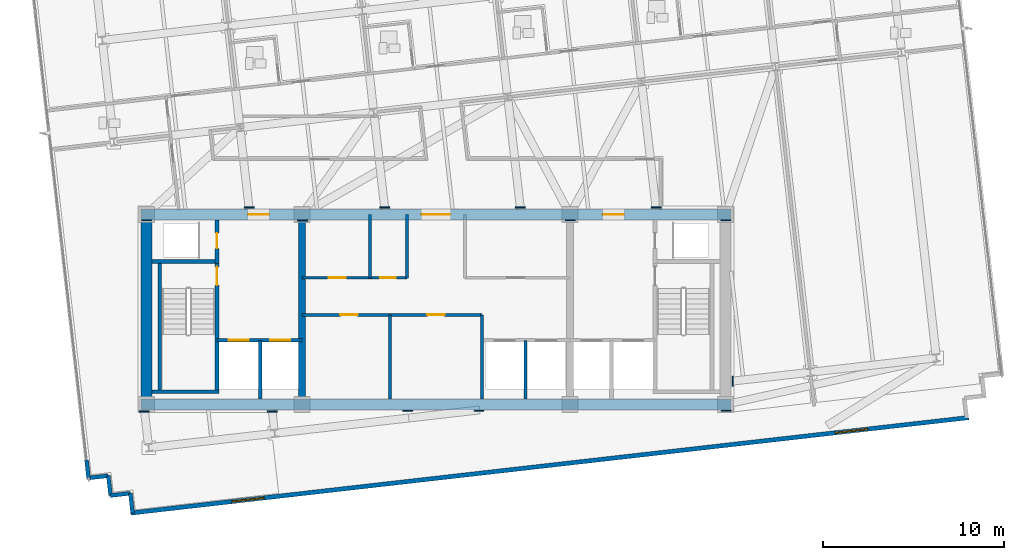
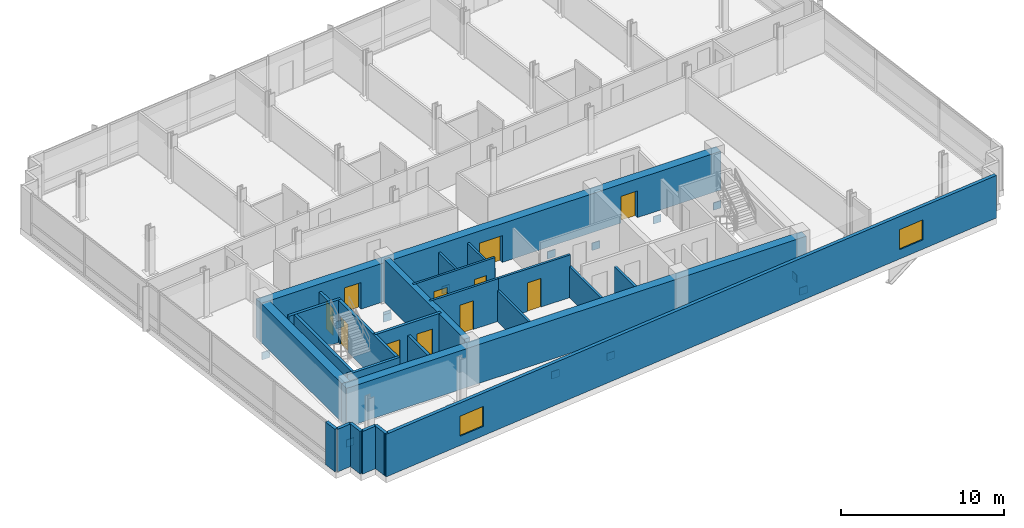
# One storey, part 8 of 15: 25 walls, 15 plates, 11 doors, 2 windows, 13 openings.
"""IFC4 building model written with IfcOpenShell, lengths in metres."""

from ifc_helpers import new_model, si_unit, direction, frame, frame_2d, origin, origin_2d, place, context, subcontext, project, spatial, rectangle, extrude, material, layer, layer_set, type_object, element, fill, save


model = new_model("IFC4")

# Units and contexts
model_context = context("Model", 3, precision=1e-05, world=origin(), true_north=direction((0.0, 1.0)))
body_context = subcontext(model_context, "Body", "Model", "MODEL_VIEW")
ifc_project = project(units=[si_unit("LENGTHUNIT", "METRE"), si_unit("AREAUNIT", "SQUARE_METRE"), si_unit("VOLUMEUNIT", "CUBIC_METRE"), si_unit("PLANEANGLEUNIT", "RADIAN"), si_unit("MASSUNIT", "GRAM", prefix="KILO")], contexts=[model_context])

# Site, building, storey
site_placement = place(None, origin())
site = spatial("IfcSite", under=ifc_project, at=site_placement, CompositionType="ELEMENT")
building_placement = place(site_placement, origin())
building = spatial("IfcBuilding", under=site, at=building_placement, Name="Solmavex Isthmus Hotel", CompositionType="ELEMENT")
storey_placement = place(building_placement, frame((0.0, 0.0, 191.699951171875)))
storey = spatial("IfcBuildingStorey", under=building, at=storey_placement, Name="L51", CompositionType="ELEMENT", Elevation=191.699951171875)

# Plates
ifc_material_1 = material(Name="Steel ASTM A572 Grade 50", Category="steel")
ifc_layer_1 = layer(ifc_material_1, 0.06005859375)
ifc_layer_set_1 = layer_set([ifc_layer_1], Name="Steel ASTM A572 Grade 50")
plate_type = type_object("IfcPlateType", Name="PLT-EMBED-60", PredefinedType="USERDEFINED", material=ifc_layer_set_1)
for number, where, z_axis, x_axis, name in (
    (1, (-7.37939453125, -2.820556640625, -1.30517578125), (0.0, 0.0, 1.0), (1.0, 0.0, 0.0), "Outrigger Strut Core Cast-In Embedment Stiffener Plate 075"),
    (2, (7.4169921875, -2.818359375, -1.30517578125), (0.0, 0.0, 1.0), (1.0, 0.0, 0.0), "Outrigger Strut Core Cast-In Embedment Stiffener Plate 076"),
    (3, (-7.36865234375, -2.83203125, -1.5), (0.0, 0.0, 1.0), (1.0, 0.0, 0.0), "Outrigger Strut Core Cast-In Embedment Stiffener Plate 077"),
    (4, (-15.9736328125, -2.825439453125, -1.30517578125), (0.0, 0.0, 1.0), (1.0, 0.0, 0.0), "Outrigger Strut Core Cast-In Embedment Stiffener Plate 078"),
    (5, (16.011474609375, -2.81591796875, -1.30517578125), (0.0, 0.0, 1.0), (1.0, 0.0, 0.0), "Outrigger Strut Core Cast-In Embedment Stiffener Plate 079"),
    (6, (16.03515625, -13.34228515625, -1.30517578125), (0.0, 0.0, 1.0), (1.0, 0.0, 0.0), "Outrigger Strut Core Cast-In Embedment Stiffener Plate 080"),
    (7, (-1.547119140625, -13.35400390625, -1.4150390625), (0.0, 0.0, 1.0), (1.0, 0.0, 0.0), "Outrigger Strut Core Cast-In Embedment Stiffener Plate 081"),
    (8, (2.377197265625, -13.35400390625, -1.4150390625), (0.0, 0.0, 1.0), (1.0, 0.0, 0.0), "Outrigger Strut Core Cast-In Embedment Stiffener Plate 082"),
    (9, (16.3857421875, -11.713623046875, -1.4150390625), (0.0, 0.0, 1.0), (0.0, 1.0, 0.0), "Outrigger Strut Core Cast-In Embedment Stiffener Plate 083"),
    (10, (-16.105712890625, -13.3857421875, -1.4150390625), (0.0, 0.0, 1.0), (1.0, 0.0, 0.0), "Outrigger Strut Core Cast-In Embedment Stiffener Plate 084"),
    (11, (-9.052490234375, -13.3857421875, -1.30517578125), (0.0, 0.0, 1.0), (1.0, 0.0, 0.0), "Outrigger Strut Core Cast-In Embedment Stiffener Plate 085"),
    (12, (-10.3251953125, -2.1142578125, -1.4150390625), (0.0, 0.0, 1.0), (1.0, 0.0, 0.0), "Outrigger Strut Core Cast-In Embedment Stiffener Plate 086"),
    (13, (-2.8310546875, -2.1142578125, -1.4150390625), (0.0, 0.0, 1.0), (1.0, 0.0, 0.0), "Outrigger Strut Core Cast-In Embedment Stiffener Plate 087"),
    (14, (4.6630859375, -2.1142578125, -1.4150390625), (0.0, 0.0, 1.0), (1.0, 0.0, 0.0), "Outrigger Strut Core Cast-In Embedment Stiffener Plate 088"),
    (15, (12.1572265625, -2.1142578125, -1.4150390625), (0.0, 0.0, 1.0), (1.0, 0.0, 0.0), "Outrigger Strut Core Cast-In Embedment Stiffener Plate 089"),
):
    element("IfcPlate", number, at=place(storey_placement, frame(where, z_axis=z_axis, x_axis=x_axis)), inside=storey, type_object=plate_type, Name=name, ObjectType="STIFFENER_PLATE", PredefinedType="USERDEFINED", context=body_context, shape_type="SweptSolid", body=[
        extrude(rectangle(XDim=0.550048828125, YDim=0.06005859375, at=origin_2d()), origin(), (0.0, 0.0, 1.0), 0.550048828125),
    ])

# Wall, openings, windows
ifc_material_2 = material(Name="Precast Concrete C40/50", Category="concrete")
ifc_layer_2 = layer(ifc_material_2, 0.25)
ifc_layer_set_2 = layer_set([ifc_layer_2], Name="Precast Concrete C40/50")
wall_type_1 = type_object("IfcWallType", Name="EW-TWR-250", PredefinedType="STANDARD", material=ifc_layer_set_2)
wall_1_placement = place(storey_placement, frame((-16.86962890625, -18.99951171875, 0.0), z_axis=(0.0, 0.0, 1.0), x_axis=(0.993571588328, 0.113205560228, 0.0)))
wall_1 = element("IfcWall", 16, at=wall_1_placement, inside=storey, type_object=wall_type_1, Name="Tower Rear South Facade Wall L51", PredefinedType="STANDARD", context=body_context, shape_type="SweptSolid", body=[
    extrude(rectangle(XDim=46.60009765625, YDim=0.239990234375, at=frame_2d((23.300048828125, 0.0))), origin(), (0.0, 0.0, 1.0), 3.18994140625),
])
opening_1_placement = place(wall_1_placement, frame((5.6240234375, 0.0, 0.699951171875)))
opening_1 = element("IfcOpeningElement", 17, at=opening_1_placement, cuts=wall_1, Name="Opening WN-02", PredefinedType="OPENING", context=body_context, shape_type="SweptSolid", body=[
    extrude(rectangle(XDim=1.800048828125, YDim=1.5, at=frame_2d((0.89990234375, 0.75))), frame((0.0, 0.1298828125, 0.0), z_axis=(0.0, -1.0, 0.0), x_axis=(1.0, 0.0, 0.0)), (0.0, 0.0, 1.0), 0.260009765625),
])
opening_2_placement = place(wall_1_placement, frame((39.176025390625, 0.0, 0.699951171875)))
opening_2 = element("IfcOpeningElement", 18, at=opening_2_placement, cuts=wall_1, Name="Opening WN-02", PredefinedType="OPENING", context=body_context, shape_type="SweptSolid", body=[
    extrude(rectangle(XDim=1.800048828125, YDim=1.5, at=frame_2d((0.89990234375, 0.75))), frame((0.0, 0.1298828125, 0.0), z_axis=(0.0, -1.0, 0.0), x_axis=(1.0, 0.0, 0.0)), (0.0, 0.0, 1.0), 0.260009765625),
])
ifc_material_3 = material(Name="Clear low-E laminated glass", Category="glass")
window_type = type_object("IfcWindowType", Name="WIN-TWR-1800", PartitioningType="SINGLE_PANEL", PredefinedType="WINDOW", material=ifc_material_3)
window_1_placement = place(opening_1_placement, origin())
window_1 = element("IfcWindow", 19, at=window_1_placement, inside=storey, type_object=window_type, Name="South Facade Vision Window L51-S1", OverallHeight=1.5, OverallWidth=1.800048828125, PartitioningType="SINGLE_PANEL", PredefinedType="WINDOW", context=body_context, shape_type="SweptSolid", body=[
    extrude(rectangle(XDim=1.800048828125, YDim=1.5, at=frame_2d((0.89990234375, 0.75))), frame((0.0, 0.030029296875, 0.0), z_axis=(0.0, -1.0, 0.0), x_axis=(1.0, 0.0, 0.0)), (0.0, 0.0, 1.0), 0.06005859375),
])
fill(opening_1, window_1)
window_2_placement = place(opening_2_placement, origin())
window_2 = element("IfcWindow", 20, at=window_2_placement, inside=storey, type_object=window_type, Name="South Facade Vision Window L51-S2", OverallHeight=1.5, OverallWidth=1.800048828125, PartitioningType="SINGLE_PANEL", PredefinedType="WINDOW", context=body_context, shape_type="SweptSolid", body=[
    extrude(rectangle(XDim=1.800048828125, YDim=1.5, at=frame_2d((0.89990234375, 0.75))), frame((0.0, 0.030029296875, 0.0), z_axis=(0.0, -1.0, 0.0), x_axis=(1.0, 0.0, 0.0)), (0.0, 0.0, 1.0), 0.06005859375),
])
fill(opening_2, window_2)

# Walls
for number, where, z_axis, x_axis, name in (
    (21, (-16.759033203125, -18.9970703125, 0.0), (0.0, 0.0, 1.0), (-0.113183557839, 0.99357409499, 0.0), "Serrated Corner Facade Panel L51-01"),
    (22, (-16.883544921875, -17.904052734375, 0.0), (0.0, 0.0, 1.0), (-0.99357409499, -0.113183557839, 0.0), "Serrated Corner Facade Panel L51-02"),
    (23, (-17.9765625, -18.028564453125, 0.0), (0.0, 0.0, 1.0), (-0.113183557839, 0.99357409499, 0.0), "Serrated Corner Facade Panel L51-03"),
    (24, (-18.10107421875, -16.935546875, 0.0), (0.0, 0.0, 1.0), (-0.99357409499, -0.113183557839, 0.0), "Serrated Corner Facade Panel L51-04"),
):
    element("IfcWall", number, at=place(storey_placement, frame(where, z_axis=z_axis, x_axis=x_axis)), inside=storey, type_object=wall_type_1, Name=name, PredefinedType="STANDARD", context=body_context, shape_type="SweptSolid", body=[
        extrude(rectangle(XDim=1.10009765625, YDim=0.219970703125, at=frame_2d((0.550048828125, 0.0))), origin(), (0.0, 0.0, 1.0), 3.18994140625),
    ])
wall_2_placement = place(storey_placement, frame((-19.194091796875, -17.06005859375, 0.0), z_axis=(0.0, 0.0, 1.0), x_axis=(-0.113191877531, 0.993573147212, 0.0)))
element("IfcWall", 25, at=wall_2_placement, inside=storey, type_object=wall_type_1, Name="Serrated Corner Facade Panel L51-05", PredefinedType="STANDARD", context=body_context, shape_type="SweptSolid", body=[
    extrude(rectangle(XDim=0.989990234375, YDim=0.219970703125, at=frame_2d((0.4951171875, 0.0))), origin(), (0.0, 0.0, 1.0), 3.18994140625),
])

# Wall, opening, door
ifc_material_4 = material(Name="Gypsum plasterboard lining", Category="gypsum")
ifc_layer_3 = layer(ifc_material_4, 0.159912109375)
ifc_layer_set_3 = layer_set([ifc_layer_3], Name="Gypsum plasterboard lining")
wall_type_2 = type_object("IfcWallType", Name="IW-COMP-160", PredefinedType="PARTITIONING", material=ifc_layer_set_3)
wall_3_placement = place(storey_placement, frame((-7.39990234375, -8.050048828125, 0.0), z_axis=(0.0, 0.0, 1.0), x_axis=(1.0, 0.0, 0.0)))
wall_3 = element("IfcWall", 26, at=wall_3_placement, inside=storey, type_object=wall_type_2, Name="Interior Partition Wall W-L51-REC-PLL-N", PredefinedType="PARTITIONING", context=body_context, shape_type="SweptSolid", body=[
    extrude(rectangle(XDim=4.849853515625, YDim=0.159912109375, at=frame_2d((2.4248046875, 0.0))), origin(), (0.0, 0.0, 1.0), 3.18994140625),
])
opening_3_placement = place(wall_3_placement, frame((2.125, 0.0, 0.0)))
opening_3 = element("IfcOpeningElement", 27, at=opening_3_placement, cuts=wall_3, Name="Opening ID-C095", PredefinedType="OPENING", context=body_context, shape_type="SweptSolid", body=[
    extrude(rectangle(XDim=0.949951171875, YDim=2.14990234375, at=frame_2d((0.47509765625, 1.074951171875))), frame((0.0, 0.08984375, 0.0), z_axis=(0.0, -1.0, 0.0), x_axis=(1.0, 0.0, 0.0)), (0.0, 0.0, 1.0), 0.179931640625),
])
ifc_material_5 = material(Name="Hardwood timber", Category="wood")
door_type_1 = type_object("IfcDoorType", Name="IDR-FD60-0950", OperationType="NOTDEFINED", PredefinedType="DOOR", material=ifc_material_5)
door_1_placement = place(opening_3_placement, origin())
door_1 = element("IfcDoor", 28, at=door_1_placement, inside=storey, type_object=door_type_1, Name="Linen Reserve Door L51", OperationType="SINGLE_SWING_LEFT", OverallHeight=2.14990234375, OverallWidth=0.949951171875, PredefinedType="DOOR", context=body_context, shape_type="SweptSolid", body=[
    extrude(rectangle(XDim=0.949951171875, YDim=2.14990234375, at=frame_2d((0.47509765625, 1.074951171875))), frame((0.0, 0.02490234375, 0.0), z_axis=(0.0, -1.0, 0.0), x_axis=(1.0, 0.0, 0.0)), (0.0, 0.0, 1.0), 0.050048828125),
])
fill(opening_3, door_1)

# Wall
wall_4_placement = place(storey_placement, frame((-2.550048828125, -12.699951171875, 0.0), z_axis=(0.0, 0.0, 1.0), x_axis=(0.0, 1.0, 0.0)))
element("IfcWall", 29, at=wall_4_placement, inside=storey, type_object=wall_type_2, Name="Interior Partition Wall W-L51-REC-PLL-E", PredefinedType="PARTITIONING", context=body_context, shape_type="SweptSolid", body=[
    extrude(rectangle(XDim=4.64990234375, YDim=0.159912109375, at=frame_2d((2.324951171875, 0.0))), origin(), (0.0, 0.0, 1.0), 2.324951171875),
])

# Wall, opening, door
wall_5_placement = place(storey_placement, frame((-2.550048828125, -8.050048828125, 0.0), z_axis=(0.0, 0.0, 1.0), x_axis=(1.0, 0.0, 0.0)))
wall_5 = element("IfcWall", 30, at=wall_5_placement, inside=storey, type_object=wall_type_2, Name="Interior Partition Wall W-L51-REC-PLM-N", PredefinedType="PARTITIONING", context=body_context, shape_type="SweptSolid", body=[
    extrude(rectangle(XDim=5.10009765625, YDim=0.159912109375, at=frame_2d((2.550048828125, 0.0))), origin(), (0.0, 0.0, 1.0), 3.18994140625),
])
opening_4_placement = place(wall_5_placement, frame((2.074951171875, 0.0, 0.0)))
opening_4 = element("IfcOpeningElement", 31, at=opening_4_placement, cuts=wall_5, Name="Opening ID-C095", PredefinedType="OPENING", context=body_context, shape_type="SweptSolid", body=[
    extrude(rectangle(XDim=0.949951171875, YDim=2.14990234375, at=frame_2d((0.47509765625, 1.074951171875))), frame((0.0, 0.08984375, 0.0), z_axis=(0.0, -1.0, 0.0), x_axis=(1.0, 0.0, 0.0)), (0.0, 0.0, 1.0), 0.179931640625),
])
door_2_placement = place(opening_4_placement, origin())
door_2 = element("IfcDoor", 32, at=door_2_placement, inside=storey, type_object=door_type_1, Name="Butler Store Door L51", OperationType="SINGLE_SWING_RIGHT", OverallHeight=2.14990234375, OverallWidth=0.949951171875, PredefinedType="DOOR", context=body_context, shape_type="SweptSolid", body=[
    extrude(rectangle(XDim=0.949951171875, YDim=2.14990234375, at=frame_2d((0.47509765625, 1.074951171875))), frame((0.0, 0.02490234375, 0.0), z_axis=(0.0, -1.0, 0.0), x_axis=(1.0, 0.0, 0.0)), (0.0, 0.0, 1.0), 0.050048828125),
])
fill(opening_4, door_2)

# Wall
wall_6_placement = place(storey_placement, frame((2.550048828125, -12.699951171875, 0.0), z_axis=(0.0, 0.0, 1.0), x_axis=(0.0, 1.0, 0.0)))
element("IfcWall", 33, at=wall_6_placement, inside=storey, type_object=wall_type_2, Name="Interior Partition Wall W-L51-REC-PLM-E", PredefinedType="PARTITIONING", context=body_context, shape_type="SweptSolid", body=[
    extrude(rectangle(XDim=4.64990234375, YDim=0.159912109375, at=frame_2d((2.324951171875, 0.0))), origin(), (0.0, 0.0, 1.0), 2.324951171875),
])

# Wall, openings, doors
ifc_layer_4 = layer(ifc_material_4, 0.14990234375)
ifc_layer_set_4 = layer_set([ifc_layer_4], Name="Gypsum plasterboard lining")
wall_type_3 = type_object("IfcWallType", Name="IW-CORR-150", PredefinedType="PARTITIONING", material=ifc_layer_set_4)
wall_7_placement = place(storey_placement, frame((-7.39990234375, -6.0, 0.0), z_axis=(0.0, 0.0, 1.0), x_axis=(1.0, 0.0, 0.0)))
wall_7 = element("IfcWall", 34, at=wall_7_placement, inside=storey, type_object=wall_type_3, Name="Interior Partition Wall W-L51-BOH-WS", PredefinedType="PARTITIONING", context=body_context, shape_type="SweptSolid", body=[
    extrude(rectangle(XDim=5.7998046875, YDim=0.14990234375, at=frame_2d((2.89990234375, 0.0))), origin(), (0.0, 0.0, 1.0), 3.18994140625),
])
opening_5_placement = place(wall_7_placement, frame((1.47509765625, 0.0, 0.0)))
opening_5 = element("IfcOpeningElement", 35, at=opening_5_placement, cuts=wall_7, Name="Opening ID-C095", PredefinedType="OPENING", context=body_context, shape_type="SweptSolid", body=[
    extrude(rectangle(XDim=0.949951171875, YDim=2.14990234375, at=frame_2d((0.47509765625, 1.074951171875))), frame((0.0, 0.0849609375, 0.0), z_axis=(0.0, -1.0, 0.0), x_axis=(1.0, 0.0, 0.0)), (0.0, 0.0, 1.0), 0.169921875),
])
opening_6_placement = place(wall_7_placement, frame((4.324951171875, 0.0, 0.0)))
opening_6 = element("IfcOpeningElement", 36, at=opening_6_placement, cuts=wall_7, Name="Opening ID-R085", PredefinedType="OPENING", context=body_context, shape_type="SweptSolid", body=[
    extrude(rectangle(XDim=0.85009765625, YDim=2.050048828125, at=frame_2d((0.425048828125, 1.02490234375))), frame((0.0, 0.0849609375, 0.0), z_axis=(0.0, -1.0, 0.0), x_axis=(1.0, 0.0, 0.0)), (0.0, 0.0, 1.0), 0.169921875),
])
ifc_material_6 = material(Name="Steel ASTM A500 Grade C", Category="steel")
door_type_2 = type_object("IfcDoorType", Name="IDR-FD60-0850", OperationType="NOTDEFINED", PredefinedType="DOOR", material=ifc_material_6)
door_3_placement = place(opening_6_placement, frame((0.85009765625, 0.0, 0.0), z_axis=(0.0, 0.0, 1.0), x_axis=(-1.0, 0.0, 0.0)))
door_3 = element("IfcDoor", 37, at=door_3_placement, inside=storey, type_object=door_type_2, Name="Cleaner Closet Door L51", OperationType="SINGLE_SWING_RIGHT", OverallHeight=2.050048828125, OverallWidth=0.85009765625, PredefinedType="DOOR", context=body_context, shape_type="SweptSolid", body=[
    extrude(rectangle(XDim=0.85009765625, YDim=2.050048828125, at=frame_2d((0.425048828125, 1.02490234375))), frame((0.0, 0.02490234375, 0.0), z_axis=(0.0, -1.0, 0.0), x_axis=(1.0, 0.0, 0.0)), (0.0, 0.0, 1.0), 0.050048828125),
])
fill(opening_6, door_3)
door_4_placement = place(opening_5_placement, frame((0.949951171875, 0.0, 0.0), z_axis=(0.0, 0.0, 1.0), x_axis=(-1.0, 0.0, 0.0)))
door_4 = element("IfcDoor", 38, at=door_4_placement, inside=storey, type_object=door_type_1, Name="Housekeeping Store Door L51", OperationType="SINGLE_SWING_LEFT", OverallHeight=2.14990234375, OverallWidth=0.949951171875, PredefinedType="DOOR", context=body_context, shape_type="SweptSolid", body=[
    extrude(rectangle(XDim=0.949951171875, YDim=2.14990234375, at=frame_2d((0.47509765625, 1.074951171875))), frame((0.0, 0.02490234375, 0.0), z_axis=(0.0, -1.0, 0.0), x_axis=(1.0, 0.0, 0.0)), (0.0, 0.0, 1.0), 0.050048828125),
])
fill(opening_5, door_4)

# Walls
wall_8_placement = place(storey_placement, frame((-1.60009765625, -6.0, 0.0), z_axis=(0.0, 0.0, 1.0), x_axis=(0.0, 1.0, 0.0)))
element("IfcWall", 39, at=wall_8_placement, inside=storey, type_object=wall_type_3, Name="Interior Partition Wall W-L51-BOH-WE", PredefinedType="PARTITIONING", context=body_context, shape_type="SweptSolid", body=[
    extrude(rectangle(XDim=3.5, YDim=0.14990234375, at=frame_2d((1.75, 0.0))), origin(), (0.0, 0.0, 1.0), 2.324951171875),
])
ifc_layer_5 = layer(ifc_material_4, 0.1201171875)
ifc_layer_set_5 = layer_set([ifc_layer_5], Name="Gypsum plasterboard lining")
wall_type_4 = type_object("IfcWallType", Name="IW-PART-120", PredefinedType="PARTITIONING", material=ifc_layer_set_5)
wall_9_placement = place(storey_placement, frame((-3.64990234375, -6.0, 0.0), z_axis=(0.0, 0.0, 1.0), x_axis=(0.0, 1.0, 0.0)))
element("IfcWall", 40, at=wall_9_placement, inside=storey, type_object=wall_type_4, Name="Interior Partition Wall W-L51-BOH-WM1", PredefinedType="PARTITIONING", context=body_context, shape_type="SweptSolid", body=[
    extrude(rectangle(XDim=3.5, YDim=0.14990234375, at=frame_2d((1.75, 0.0))), origin(), (0.0, 0.0, 1.0), 2.324951171875),
])
ifc_material_7 = material(Name="Concrete C40/50", Category="concrete")
ifc_layer_6 = layer(ifc_material_7, 0.179931640625)
ifc_layer_set_6 = layer_set([ifc_layer_6], Name="Concrete C40/50")
wall_type_5 = type_object("IfcWallType", Name="IW-SHAFT-180", PredefinedType="PARTITIONING", material=ifc_layer_set_6)
wall_10_placement = place(storey_placement, frame((4.949951171875, -12.699951171875, 0.0), z_axis=(0.0, 0.0, 1.0), x_axis=(0.0, 1.0, 0.0)))
element("IfcWall", 41, at=wall_10_placement, inside=storey, type_object=wall_type_5, Name="Interior Partition Wall W-L51-SH-PLH-M", PredefinedType="PARTITIONING", context=body_context, shape_type="SweptSolid", body=[
    extrude(rectangle(XDim=3.25, YDim=0.179931640625, at=frame_2d((1.625, 0.0))), origin(), (0.0, 0.0, 1.0), 2.324951171875),
])

# Wall, opening, door
ifc_layer_7 = layer(ifc_material_7, 0.199951171875)
ifc_layer_set_7 = layer_set([ifc_layer_7], Name="Concrete C40/50")
wall_type_6 = type_object("IfcWallType", Name="IW-SHAFT-200", PredefinedType="PARTITIONING", material=ifc_layer_set_7)
wall_11_placement = place(storey_placement, frame((-12.10009765625, -5.199951171875, 0.0), z_axis=(0.0, 0.0, 1.0), x_axis=(0.0, 1.0, 0.0)))
wall_11 = element("IfcWall", 42, at=wall_11_placement, inside=storey, type_object=wall_type_6, Name="Interior Partition Wall W-L51-RSW-E", PredefinedType="PARTITIONING", context=body_context, shape_type="SweptSolid", body=[
    extrude(rectangle(XDim=2.39990234375, YDim=0.199951171875, at=frame_2d((1.199951171875, 0.0))), origin(), (0.0, 0.0, 1.0), 2.324951171875),
])
opening_7_placement = place(wall_11_placement, frame((0.824951171875, 0.0, 0.0)))
opening_7 = element("IfcOpeningElement", 43, at=opening_7_placement, cuts=wall_11, Name="Opening ID-R085", PredefinedType="OPENING", context=body_context, shape_type="SweptSolid", body=[
    extrude(rectangle(XDim=0.85009765625, YDim=2.050048828125, at=frame_2d((0.425048828125, 1.02490234375))), frame((0.0, 0.10986328125, 0.0), z_axis=(0.0, -1.0, 0.0), x_axis=(1.0, 0.0, 0.0)), (0.0, 0.0, 1.0), 0.219970703125),
])
door_5_placement = place(opening_7_placement, origin())
door_5 = element("IfcDoor", 44, at=door_5_placement, inside=storey, type_object=door_type_2, Name="Electrical Riser Door L51", OperationType="SINGLE_SWING_RIGHT", OverallHeight=2.050048828125, OverallWidth=0.85009765625, PredefinedType="DOOR", context=body_context, shape_type="SweptSolid", body=[
    extrude(rectangle(XDim=0.85009765625, YDim=2.050048828125, at=frame_2d((0.425048828125, 1.02490234375))), frame((0.0, 0.02490234375, 0.0), z_axis=(0.0, -1.0, 0.0), x_axis=(1.0, 0.0, 0.0)), (0.0, 0.0, 1.0), 0.050048828125),
])
fill(opening_7, door_5)

# Wall, openings, doors
wall_12_placement = place(storey_placement, frame((-12.10009765625, -9.449951171875, 0.0), z_axis=(0.0, 0.0, 1.0), x_axis=(1.0, 0.0, 0.0)))
wall_12 = element("IfcWall", 45, at=wall_12_placement, inside=storey, type_object=wall_type_6, Name="Interior Partition Wall W-L51-FFLW-S", PredefinedType="PARTITIONING", context=body_context, shape_type="SweptSolid", body=[
    extrude(rectangle(XDim=4.7001953125, YDim=0.199951171875, at=frame_2d((2.35009765625, 0.0))), origin(), (0.0, 0.0, 1.0), 3.18994140625),
])
opening_8_placement = place(wall_12_placement, frame((0.64990234375, 0.0, 0.0)))
opening_8 = element("IfcOpeningElement", 46, at=opening_8_placement, cuts=wall_12, Name="Opening LD-FF", PredefinedType="OPENING", context=body_context, shape_type="SweptSolid", body=[
    extrude(rectangle(XDim=1.10009765625, YDim=2.199951171875, at=frame_2d((0.550048828125, 1.10009765625))), frame((0.0, 0.10986328125, 0.0), z_axis=(0.0, -1.0, 0.0), x_axis=(1.0, 0.0, 0.0)), (0.0, 0.0, 1.0), 0.219970703125),
])
opening_9_placement = place(wall_12_placement, frame((2.949951171875, 0.0, 0.0)))
opening_9 = element("IfcOpeningElement", 47, at=opening_9_placement, cuts=wall_12, Name="Opening LD-SV", PredefinedType="OPENING", context=body_context, shape_type="SweptSolid", body=[
    extrude(rectangle(XDim=1.10009765625, YDim=2.199951171875, at=frame_2d((0.550048828125, 1.10009765625))), frame((0.0, 0.10986328125, 0.0), z_axis=(0.0, -1.0, 0.0), x_axis=(1.0, 0.0, 0.0)), (0.0, 0.0, 1.0), 0.219970703125),
])
ifc_material_8 = material(Name="Stainless steel 316", Category="steel")
door_type_3 = type_object("IfcDoorType", Name="LDR-FF-1100", OperationType="NOTDEFINED", PredefinedType="DOOR", material=ifc_material_8)
door_6_placement = place(opening_8_placement, origin())
door_6 = element("IfcDoor", 48, at=door_6_placement, inside=storey, type_object=door_type_3, Name="Lift Landing Door FFL-1 L51", OperationType="SLIDING_TO_LEFT", OverallHeight=2.199951171875, OverallWidth=1.10009765625, PredefinedType="DOOR", context=body_context, shape_type="SweptSolid", body=[
    extrude(rectangle(XDim=1.10009765625, YDim=2.199951171875, at=frame_2d((0.550048828125, 1.10009765625))), frame((0.0, 0.02490234375, 0.0), z_axis=(0.0, -1.0, 0.0), x_axis=(1.0, 0.0, 0.0)), (0.0, 0.0, 1.0), 0.050048828125),
])
fill(opening_8, door_6)
door_type_4 = type_object("IfcDoorType", Name="LDR-SV-1100", OperationType="NOTDEFINED", PredefinedType="DOOR", material=ifc_material_8)
door_7_placement = place(opening_9_placement, origin())
door_7 = element("IfcDoor", 49, at=door_7_placement, inside=storey, type_object=door_type_4, Name="Lift Landing Door SVL-1 L51", OperationType="SLIDING_TO_RIGHT", OverallHeight=2.199951171875, OverallWidth=1.10009765625, PredefinedType="DOOR", context=body_context, shape_type="SweptSolid", body=[
    extrude(rectangle(XDim=1.10009765625, YDim=2.199951171875, at=frame_2d((0.550048828125, 1.10009765625))), frame((0.0, 0.02490234375, 0.0), z_axis=(0.0, -1.0, 0.0), x_axis=(1.0, 0.0, 0.0)), (0.0, 0.0, 1.0), 0.050048828125),
])
fill(opening_9, door_7)

# Walls
wall_13_placement = place(storey_placement, frame((-9.699951171875, -12.699951171875, 0.0), z_axis=(0.0, 0.0, 1.0), x_axis=(0.0, 1.0, 0.0)))
element("IfcWall", 50, at=wall_13_placement, inside=storey, type_object=wall_type_6, Name="Interior Partition Wall W-L51-FFLW-M", PredefinedType="PARTITIONING", context=body_context, shape_type="SweptSolid", body=[
    extrude(rectangle(XDim=3.25, YDim=0.199951171875, at=frame_2d((1.625, 0.0))), origin(), (0.0, 0.0, 1.0), 2.324951171875),
])
ifc_material_9 = material(Name="Concrete C50/60", Category="concrete")
ifc_layer_8 = layer(ifc_material_9, 0.39990234375)
ifc_layer_set_8 = layer_set([ifc_layer_8], Name="Concrete C50/60")
wall_type_7 = type_object("IfcWallType", Name="WALL-CW-400H", PredefinedType="SHEAR", material=ifc_layer_set_8)
wall_14_placement = place(storey_placement, frame((-7.39990234375, -12.699951171875, 0.0), z_axis=(0.0, 0.0, 1.0), x_axis=(0.0, 1.0, 0.0)))
element("IfcWall", 51, at=wall_14_placement, inside=storey, type_object=wall_type_7, Name="Core Cross Shear Wall C1 L51", PredefinedType="SHEAR", context=body_context, shape_type="SweptSolid", body=[
    extrude(rectangle(XDim=9.89990234375, YDim=0.39990234375, at=frame_2d((4.949951171875, 0.0))), origin(), (0.0, 0.0, 1.0), 3.18994140625),
])
ifc_layer_9 = layer(ifc_material_9, 0.60009765625)
ifc_layer_set_9 = layer_set([ifc_layer_9], Name="Concrete C50/60")
wall_type_8 = type_object("IfcWallType", Name="WALL-CW-600", PredefinedType="SHEAR", material=ifc_layer_set_9)
wall_15_placement = place(storey_placement, frame((-16.300048828125, -13.0, 0.0), z_axis=(0.0, 0.0, 1.0), x_axis=(1.0, 0.0, 0.0)))
element("IfcWall", 52, at=wall_15_placement, inside=storey, type_object=wall_type_8, Name="Core Shear Wall South L51", PredefinedType="SHEAR", context=body_context, shape_type="SweptSolid", body=[
    extrude(rectangle(XDim=32.60009765625, YDim=0.60009765625, at=frame_2d((16.300048828125, 0.0))), origin(), (0.0, 0.0, 1.0), 2.91015625),
])

# Wall, openings, doors
wall_16_placement = place(storey_placement, frame((-16.300048828125, -2.5, 0.0), z_axis=(0.0, 0.0, 1.0), x_axis=(1.0, 0.0, 0.0)))
wall_16 = element("IfcWall", 53, at=wall_16_placement, inside=storey, type_object=wall_type_8, Name="Core Shear Wall North L51", PredefinedType="SHEAR", context=body_context, shape_type="SweptSolid", body=[
    extrude(rectangle(XDim=32.60009765625, YDim=0.60009765625, at=frame_2d((16.300048828125, 0.0))), origin(), (0.0, 0.0, 1.0), 2.91015625),
])
opening_10_placement = place(wall_16_placement, frame((5.925048828125, 0.0, 0.0)))
opening_10 = element("IfcOpeningElement", 54, at=opening_10_placement, cuts=wall_16, Name="Opening ID-F915", PredefinedType="OPENING", context=body_context, shape_type="SweptSolid", body=[
    extrude(rectangle(XDim=1.14990234375, YDim=2.0, at=frame_2d((0.574951171875, 1.0))), frame((0.0, 0.31005859375, 0.0), z_axis=(0.0, -1.0, 0.0), x_axis=(1.0, 0.0, 0.0)), (0.0, 0.0, 1.0), 0.6201171875),
])
opening_11_placement = place(wall_16_placement, frame((15.5, 0.0, 0.0)))
opening_11 = element("IfcOpeningElement", 55, at=opening_11_placement, cuts=wall_16, Name="Opening ID-F960", PredefinedType="OPENING", context=body_context, shape_type="SweptSolid", body=[
    extrude(rectangle(XDim=1.60009765625, YDim=2.0, at=frame_2d((0.800048828125, 1.0))), frame((0.0, 0.31005859375, 0.0), z_axis=(0.0, -1.0, 0.0), x_axis=(1.0, 0.0, 0.0)), (0.0, 0.0, 1.0), 0.6201171875),
])
opening_12_placement = place(wall_16_placement, frame((25.52490234375, 0.0, 0.0)))
opening_12 = element("IfcOpeningElement", 56, at=opening_12_placement, cuts=wall_16, Name="Opening ID-F915", PredefinedType="OPENING", context=body_context, shape_type="SweptSolid", body=[
    extrude(rectangle(XDim=1.14990234375, YDim=2.0, at=frame_2d((0.574951171875, 1.0))), frame((0.0, 0.31005859375, 0.0), z_axis=(0.0, -1.0, 0.0), x_axis=(1.0, 0.0, 0.0)), (0.0, 0.0, 1.0), 0.6201171875),
])
door_type_5 = type_object("IfcDoorType", Name="IDR-FD90-1150C", OperationType="NOTDEFINED", PredefinedType="DOOR", material=ifc_material_6)
door_8_placement = place(opening_10_placement, origin())
door_8 = element("IfcDoor", 57, at=door_8_placement, inside=storey, type_object=door_type_5, Name="Firefighting Lobby West Exit Door L51", OperationType="SINGLE_SWING_LEFT", OverallHeight=2.0, OverallWidth=1.14990234375, PredefinedType="DOOR", context=body_context, shape_type="SweptSolid", body=[
    extrude(rectangle(XDim=1.14990234375, YDim=2.0, at=frame_2d((0.574951171875, 1.0))), frame((0.0, 0.02490234375, 0.0), z_axis=(0.0, -1.0, 0.0), x_axis=(1.0, 0.0, 0.0)), (0.0, 0.0, 1.0), 0.050048828125),
])
fill(opening_10, door_8)
door_9_placement = place(opening_12_placement, origin())
door_9 = element("IfcDoor", 58, at=door_9_placement, inside=storey, type_object=door_type_5, Name="Firefighting Lobby East Exit Door L51", OperationType="SINGLE_SWING_RIGHT", OverallHeight=2.0, OverallWidth=1.14990234375, PredefinedType="DOOR", context=body_context, shape_type="SweptSolid", body=[
    extrude(rectangle(XDim=1.14990234375, YDim=2.0, at=frame_2d((0.574951171875, 1.0))), frame((0.0, 0.02490234375, 0.0), z_axis=(0.0, -1.0, 0.0), x_axis=(1.0, 0.0, 0.0)), (0.0, 0.0, 1.0), 0.050048828125),
])
fill(opening_12, door_9)
door_type_6 = type_object("IfcDoorType", Name="IDR-FD90-1600C", OperationType="NOTDEFINED", PredefinedType="DOOR", material=ifc_material_6)
door_10_placement = place(opening_11_placement, origin())
door_10 = element("IfcDoor", 59, at=door_10_placement, inside=storey, type_object=door_type_6, Name="Central Lift Lobby Door L51", OperationType="DOUBLE_DOOR_SINGLE_SWING", OverallHeight=2.0, OverallWidth=1.60009765625, PredefinedType="DOOR", context=body_context, shape_type="SweptSolid", body=[
    extrude(rectangle(XDim=1.60009765625, YDim=2.0, at=frame_2d((0.800048828125, 1.0))), frame((0.0, 0.02490234375, 0.0), z_axis=(0.0, -1.0, 0.0), x_axis=(1.0, 0.0, 0.0)), (0.0, 0.0, 1.0), 0.050048828125),
])
fill(opening_11, door_10)

# Walls
wall_17_placement = place(storey_placement, frame((-16.0, -12.699951171875, 0.0), z_axis=(0.0, 0.0, 1.0), x_axis=(0.0, 1.0, 0.0)))
element("IfcWall", 60, at=wall_17_placement, inside=storey, type_object=wall_type_8, Name="Core Shear Wall West L51", PredefinedType="SHEAR", context=body_context, shape_type="SweptSolid", body=[
    extrude(rectangle(XDim=9.89990234375, YDim=0.60009765625, at=frame_2d((4.949951171875, 0.0))), origin(), (0.0, 0.0, 1.0), 2.91015625),
])
ifc_layer_10 = layer(ifc_material_7, 0.199951171875)
ifc_layer_set_10 = layer_set([ifc_layer_10], Name="Concrete C40/50")
wall_type_9 = type_object("IfcWallType", Name="WALL-SW-200", PredefinedType="SOLIDWALL", material=ifc_layer_set_10)
for number, where, z_axis, x_axis, name in (
    (61, (-15.699951171875, -12.300048828125, 0.0), (0.0, 0.0, 1.0), (1.0, 0.0, 0.0), "Stairwell Structural Wall SW-L51-ST1-S"),
    (62, (-15.699951171875, -5.10009765625, 0.0), (0.0, 0.0, 1.0), (1.0, 0.0, 0.0), "Stairwell Structural Wall SW-L51-ST1-N"),
):
    element("IfcWall", number, at=place(storey_placement, frame(where, z_axis=z_axis, x_axis=x_axis)), inside=storey, type_object=wall_type_9, Name=name, PredefinedType="SOLIDWALL", context=body_context, shape_type="SweptSolid", body=[
        extrude(rectangle(XDim=3.699951171875, YDim=0.199951171875, at=frame_2d((1.85009765625, 0.0))), origin(), (0.0, 0.0, 1.0), 3.18994140625),
    ])
wall_18_placement = place(storey_placement, frame((-15.25, -12.199951171875, 0.0), z_axis=(0.0, 0.0, 1.0), x_axis=(0.0, 1.0, 0.0)))
element("IfcWall", 63, at=wall_18_placement, inside=storey, type_object=wall_type_9, Name="Stairwell Structural Wall SW-L51-ST1-W", PredefinedType="SOLIDWALL", context=body_context, shape_type="SweptSolid", body=[
    extrude(rectangle(XDim=7.0, YDim=0.199951171875, at=frame_2d((3.5, 0.0))), origin(), (0.0, 0.0, 1.0), 3.18994140625),
])

# Wall, opening, door
wall_19_placement = place(storey_placement, frame((-12.10009765625, -12.199951171875, 0.0), z_axis=(0.0, 0.0, 1.0), x_axis=(0.0, 1.0, 0.0)))
wall_19 = element("IfcWall", 64, at=wall_19_placement, inside=storey, type_object=wall_type_9, Name="Stairwell Structural Wall SW-L51-ST1-E", PredefinedType="SOLIDWALL", context=body_context, shape_type="SweptSolid", body=[
    extrude(rectangle(XDim=7.0, YDim=0.199951171875, at=frame_2d((3.5, 0.0))), origin(), (0.0, 0.0, 1.0), 3.18994140625),
])
opening_13_placement = place(wall_19_placement, frame((5.800048828125, 0.0, 0.0)))
opening_13 = element("IfcOpeningElement", 65, at=opening_13_placement, cuts=wall_19, Name="Opening ID-F100", PredefinedType="OPENING", context=body_context, shape_type="SweptSolid", body=[
    extrude(rectangle(XDim=1.0, YDim=2.10009765625, at=frame_2d((0.5, 1.050048828125))), frame((0.0, 0.10986328125, 0.0), z_axis=(0.0, -1.0, 0.0), x_axis=(1.0, 0.0, 0.0)), (0.0, 0.0, 1.0), 0.219970703125),
])
door_type_7 = type_object("IfcDoorType", Name="IDR-FD90-1000", OperationType="NOTDEFINED", PredefinedType="DOOR", material=ifc_material_6)
door_11_placement = place(opening_13_placement, frame((1.0, 0.0, 0.0), z_axis=(0.0, 0.0, 1.0), x_axis=(-1.0, 0.0, 0.0)))
door_11 = element("IfcDoor", 66, at=door_11_placement, inside=storey, type_object=door_type_7, Name="Stair ST-1 Fire Door L51", OperationType="SINGLE_SWING_LEFT", OverallHeight=2.10009765625, OverallWidth=1.0, PredefinedType="DOOR", context=body_context, shape_type="SweptSolid", body=[
    extrude(rectangle(XDim=1.0, YDim=2.10009765625, at=frame_2d((0.5, 1.050048828125))), frame((0.0, 0.02490234375, 0.0), z_axis=(0.0, -1.0, 0.0), x_axis=(1.0, 0.0, 0.0)), (0.0, 0.0, 1.0), 0.050048828125),
])
fill(opening_13, door_11)

save(model, "model.ifc")
